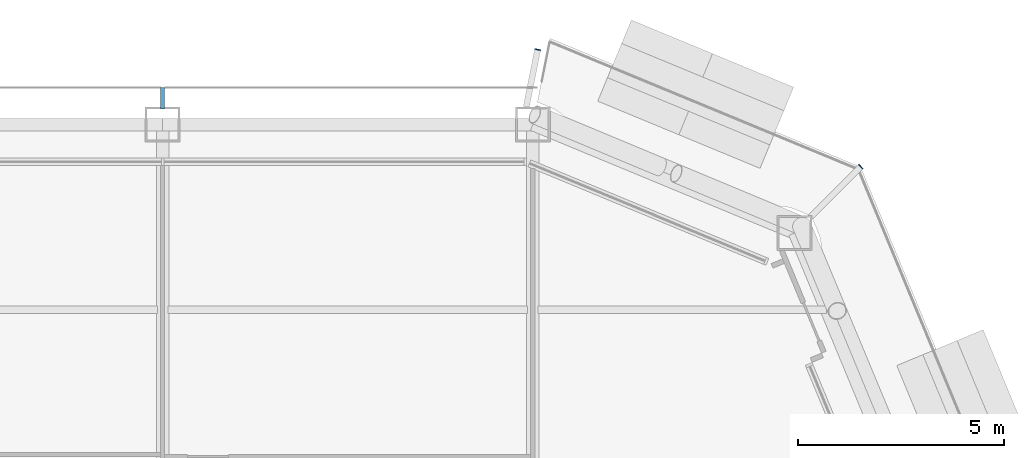
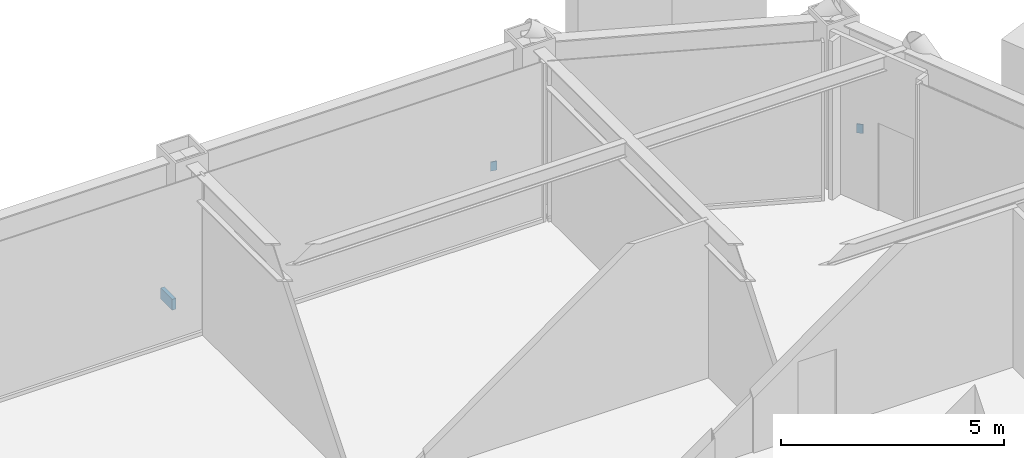
# One storey, part 18 of 23: 3 discrete accessories.
"""IFC4 building model written with IfcOpenShell, lengths in metres."""

import ifcopenshell
import ifcopenshell.guid

model = None  # the IFC model being written
_history = None  # IfcOwnerHistory: only IFC2X3 demands one
_inside = {}  # id of a spatial element -> (the spatial element, [elements in it])
_under = {}  # id of a project, library or spatial element -> (it, [spatial elements below it])
_declared = {}  # id of a project -> (the project, [libraries it declares])
_typed = {}  # id of a type object -> (the type object, [elements of that type])
_made_of = {}  # id of a material, layer set ... -> (it, [elements and type objects made of it])


def new_model(schema):
    """Start an empty IFC model of exactly this schema.

    Asked for "IFC4X3", IfcOpenShell would pick the latest addendum, in which some entities
    have other attributes; the version numbers below select the first issue.
    IFC2X3 requires an IfcOwnerHistory on every rooted entity: one is made here for all.
    """
    global model, _history
    if schema == "IFC4X3":
        model = ifcopenshell.file(schema_version=(4, 3, 0, 0))
    else:
        model = ifcopenshell.file(schema=schema)
    _inside.clear()
    _under.clear()
    _declared.clear()
    _typed.clear()
    _made_of.clear()
    _history = None
    if model.schema == "IFC2X3":
        org = make("IfcOrganization", Name="unknown")
        user = make(
            "IfcPersonAndOrganization",
            ThePerson=make("IfcPerson", FamilyName="unknown"),
            TheOrganization=org,
        )
        app = make(
            "IfcApplication",
            ApplicationDeveloper=org,
            Version="unknown",
            ApplicationFullName="unknown",
            ApplicationIdentifier="unknown",
        )
        _history = make(
            "IfcOwnerHistory",
            OwningUser=user,
            OwningApplication=app,
            ChangeAction="ADDED",
            CreationDate=0,
        )
    return model


def make(cls, **values):
    """One entity of the class cls with the attributes given. An attribute that is None is left unset."""
    return model.create_entity(
        cls, **{name: value for name, value in values.items() if value is not None}
    )


def rooted(cls, **values):
    """An entity with a GlobalId (a new one), such as an element, a storey or a relation."""
    return make(cls, GlobalId=ifcopenshell.guid.new(), OwnerHistory=_history, **values)


def si_unit(unit_type, name, prefix=None):
    """IfcSIUnit, for example si_unit("LENGTHUNIT", "METRE", prefix="MILLI")."""
    return make("IfcSIUnit", UnitType=unit_type, Prefix=prefix, Name=name)


def assignment(units):
    """IfcUnitAssignment: the units of a project."""
    return None if units is None else make("IfcUnitAssignment", Units=units)


def point(xyz):
    """IfcCartesianPoint."""
    return None if xyz is None else make("IfcCartesianPoint", Coordinates=xyz)


def direction(xyz):
    """IfcDirection."""
    return None if xyz is None else make("IfcDirection", DirectionRatios=xyz)


def frame(location, z_axis=None, x_axis=None):
    """IfcAxis2Placement3D, a coordinate frame: its origin and axes. An axis left out is left unset."""
    return make(
        "IfcAxis2Placement3D",
        Location=point(location),
        Axis=direction(z_axis),
        RefDirection=direction(x_axis),
    )


def frame_2d(location, x_axis=None):
    """IfcAxis2Placement2D, a coordinate frame in the plane: its origin and x axis."""
    return make(
        "IfcAxis2Placement2D", Location=point(location), RefDirection=direction(x_axis)
    )


def origin():
    """The frame at (0, 0, 0) with its axes left unset."""
    return frame((0.0, 0.0, 0.0))


def origin_2d():
    """The frame at (0, 0) in the plane with its x axis left unset."""
    return frame_2d((0.0, 0.0))


def place(relative_to, where):
    """IfcLocalPlacement: puts the frame where relative to a parent placement (None: the world)."""
    return make(
        "IfcLocalPlacement", PlacementRelTo=relative_to, RelativePlacement=where
    )


def context(
    kind, dimensions, precision=None, world=None, true_north=None, identifier=None
):
    """IfcGeometricRepresentationContext, for example the 3D "Model" context."""
    return make(
        "IfcGeometricRepresentationContext",
        ContextIdentifier=identifier,
        ContextType=kind,
        CoordinateSpaceDimension=dimensions,
        Precision=precision,
        WorldCoordinateSystem=world,
        TrueNorth=true_north,
    )


def subcontext(parent, identifier, kind, view, scale=None):
    """IfcGeometricRepresentationSubContext, for example "Body" below "Model"."""
    return make(
        "IfcGeometricRepresentationSubContext",
        ContextIdentifier=identifier,
        ContextType=kind,
        ParentContext=parent,
        TargetScale=scale,
        TargetView=view,
    )


def project(units=None, contexts=None):
    """IfcProject with its units and contexts."""
    return rooted(
        "IfcProject",
        Name="project",
        RepresentationContexts=contexts,
        UnitsInContext=assignment(units),
    )


def spatial(cls, under=None, at=None, **own):
    """A site, building, storey or space (cls), placed at a placement, below another one or the project."""
    s = rooted(cls, ObjectPlacement=at, **own)
    if under is not None:
        _under.setdefault(under.id(), (under, []))[1].append(s)
    return s


def profile(cls, at=None, kind="AREA", **sizes):
    """A parametric profile (cls). Its sizes go by their IFC names, for example OverallWidth=200.0."""
    return make(cls, ProfileType=kind, Position=at, **sizes)


def rectangle(**sizes):
    """IfcRectangleProfileDef."""
    return profile("IfcRectangleProfileDef", **sizes)


def extrude(swept, where, along, depth):
    """IfcExtrudedAreaSolid: the profile swept, set in the frame where, extruded along a direction by depth."""
    return make(
        "IfcExtrudedAreaSolid",
        SweptArea=swept,
        Position=where,
        ExtrudedDirection=direction(along),
        Depth=depth,
    )


def shape(context_of_items, identifier, shape_type, items):
    """IfcShapeRepresentation: the items that make up one representation, for example the "Body"."""
    return make(
        "IfcShapeRepresentation",
        ContextOfItems=context_of_items,
        RepresentationIdentifier=identifier,
        RepresentationType=shape_type,
        Items=items,
    )


def material(Name=None, Category=None):
    """IfcMaterial."""
    return make("IfcMaterial", Name=Name, Category=Category)


def layer(
    of_material, thickness, ventilated=None, Name=None, Category=None, Priority=None
):
    """IfcMaterialLayer: one layer of a wall or slab, of a material (None: an air gap)."""
    return make(
        "IfcMaterialLayer",
        Material=of_material,
        LayerThickness=thickness,
        IsVentilated=ventilated,
        Name=Name,
        Category=Category,
        Priority=Priority,
    )


def layer_set(layers, Name=None):
    """IfcMaterialLayerSet."""
    return make("IfcMaterialLayerSet", MaterialLayers=layers, LayerSetName=Name)


def made_of(thing, what):
    """Note that an element or type object is made of a material, layer set ...; save() writes the relation."""
    if what is not None:
        _made_of.setdefault(what.id(), (what, []))[1].append(thing)
    return thing


def type_object(cls, material=None, **own):
    """A type object (cls), such as IfcWallType, which elements share."""
    return made_of(rooted(cls, **own), material)


def element(
    cls,
    number,
    at=None,
    inside=None,
    cuts=None,
    type_object=None,
    material=None,
    context=None,
    identifier="Body",
    shape_type=None,
    held_by="IfcProductDefinitionShape",
    body=None,
    shapes=None,
    **own,
):
    """One element of the class cls, such as IfcWall. Its Tag is "e" and its number.

    at: its placement. inside: the storey or other place that contains it. cuts: it is an
    opening in that element (IfcRelVoidsElement). A single representation is given by context,
    identifier, shape_type and body (its items); several are given by shapes. held_by: the class
    of the entity that holds the representations. save() writes the other relations.
    """
    e = rooted(cls, Tag="e%d" % number, ObjectPlacement=at, **own)
    if body is not None:
        shapes = [shape(context, identifier, shape_type, body)]
    if shapes is not None:
        e.Representation = make(held_by, Representations=shapes)
    if inside is not None:
        _inside.setdefault(inside.id(), (inside, []))[1].append(e)
    if cuts is not None:
        rooted(
            "IfcRelVoidsElement", RelatingBuildingElement=cuts, RelatedOpeningElement=e
        )
    if type_object is not None:
        _typed.setdefault(type_object.id(), (type_object, []))[1].append(e)
    return made_of(e, material)


def aggregate(whole, parts):
    """IfcRelAggregates: a whole, such as a stair, and the parts it consists of."""
    return rooted("IfcRelAggregates", RelatingObject=whole, RelatedObjects=parts)


def save(model, path):
    """Write the relations noted so far, then the file.

    IfcRelAggregates (storeys below a building ...), IfcRelContainedInSpatialStructure (elements
    in a storey), IfcRelDefinesByType, IfcRelAssociatesMaterial and IfcRelDeclares: one each for
    every whole, place, type object, material and project.
    """
    for whole, parts in _under.values():
        aggregate(whole, parts)
    for where, things in _inside.values():
        rooted(
            "IfcRelContainedInSpatialStructure",
            RelatedElements=things,
            RelatingStructure=where,
        )
    for kind, things in _typed.values():
        rooted("IfcRelDefinesByType", RelatedObjects=things, RelatingType=kind)
    for what, things in _made_of.values():
        rooted("IfcRelAssociatesMaterial", RelatedObjects=things, RelatingMaterial=what)
    for by, libraries in _declared.values():
        rooted("IfcRelDeclares", RelatingContext=by, RelatedDefinitions=libraries)
    model.write(path)


model = new_model("IFC4")

# Units and contexts
model_context = context("Model", 3, precision=1e-05, world=origin(), true_north=direction((0.0, 1.0)))
body_context = subcontext(model_context, "Body", "Model", "MODEL_VIEW")
ifc_project = project(units=[si_unit("LENGTHUNIT", "METRE"), si_unit("AREAUNIT", "SQUARE_METRE"), si_unit("VOLUMEUNIT", "CUBIC_METRE"), si_unit("PLANEANGLEUNIT", "RADIAN"), si_unit("MASSUNIT", "GRAM", prefix="KILO")], contexts=[model_context])

# Site, building, storey
site_placement = place(None, origin())
site = spatial("IfcSite", under=ifc_project, at=site_placement, CompositionType="ELEMENT")
building_placement = place(site_placement, origin())
building = spatial("IfcBuilding", under=site, at=building_placement, Name="Siwar Civic Tower", CompositionType="ELEMENT")
storey_placement = place(building_placement, frame((0.0, 0.0, 206.199951171875)))
storey = spatial("IfcBuildingStorey", under=building, at=storey_placement, Name="L44", CompositionType="ELEMENT", Elevation=206.199951171875)

# Discrete accessories
ifc_material_1 = material(Name="Stainless steel 316", Category="steel")
discrete_accessory_type_1 = type_object("IfcDiscreteAccessoryType", Name="ENV-BRACKET", PredefinedType="BRACKET", material=ifc_material_1)
discrete_accessory_placement = place(storey_placement, frame((9.0, 27.639892578125, -0.14990234375), z_axis=(0.0, 0.0, 1.0), x_axis=(0.0, 1.0, 0.0)))
element("IfcDiscreteAccessory", 1, at=discrete_accessory_placement, inside=storey, type_object=discrete_accessory_type_1, Name="Bracket outer skin joint N-01", PredefinedType="BRACKET", context=body_context, shape_type="SweptSolid", body=[
    extrude(rectangle(XDim=0.52001953125, YDim=0.10009765625, at=origin_2d()), origin(), (0.0, 0.0, 1.0), 0.300048828125),
])
ifc_material_2 = material(Name="Steel S355", Category="steel")
ifc_layer = layer(ifc_material_2, 0.02001953125)
ifc_layer_set = layer_set([ifc_layer], Name="Steel S355")
discrete_accessory_type_2 = type_object("IfcDiscreteAccessoryType", Name="STR-END-CAP", PredefinedType="USERDEFINED", material=ifc_layer_set)
for number, where, z_axis, x_axis, name in (
    (2, (25.978271484375, 25.978271484375, -0.39990234375), (0.0, 0.0, 1.0), (0.707106781187, 0.707106781187, 0.0), "End cap plate Balcony cantilever beam NE 2"),
    (3, (18.118408203125, 28.8251953125, -0.39990234375), (0.0, 0.0, 1.0), (0.195090321811, 0.980785280444, 0.0), "End cap plate Balcony cantilever beam NE 3"),
):
    element("IfcDiscreteAccessory", number, at=place(storey_placement, frame(where, z_axis=z_axis, x_axis=x_axis)), inside=storey, type_object=discrete_accessory_type_2, Name=name, ObjectType="END CAP PLATE", PredefinedType="USERDEFINED", context=body_context, shape_type="SweptSolid", body=[
        extrude(rectangle(XDim=0.02001953125, YDim=0.14990234375, at=origin_2d()), origin(), (0.0, 0.0, 1.0), 0.25),
    ])

save(model, "model.ifc")
